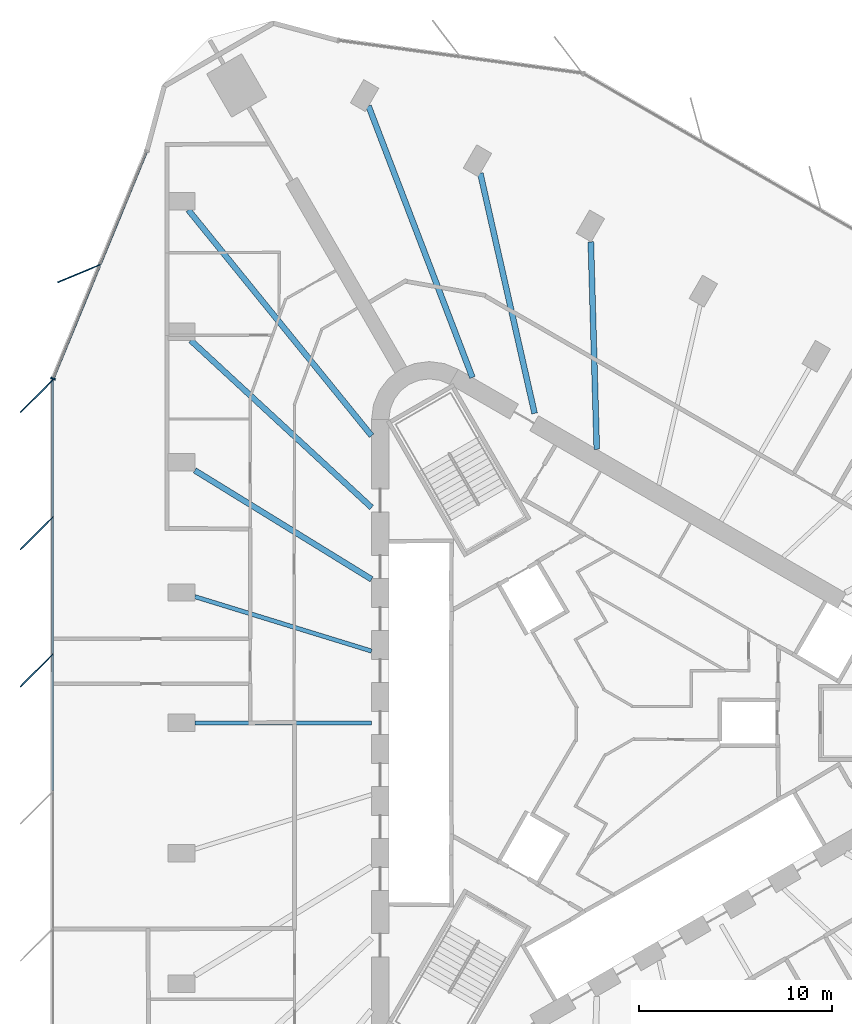
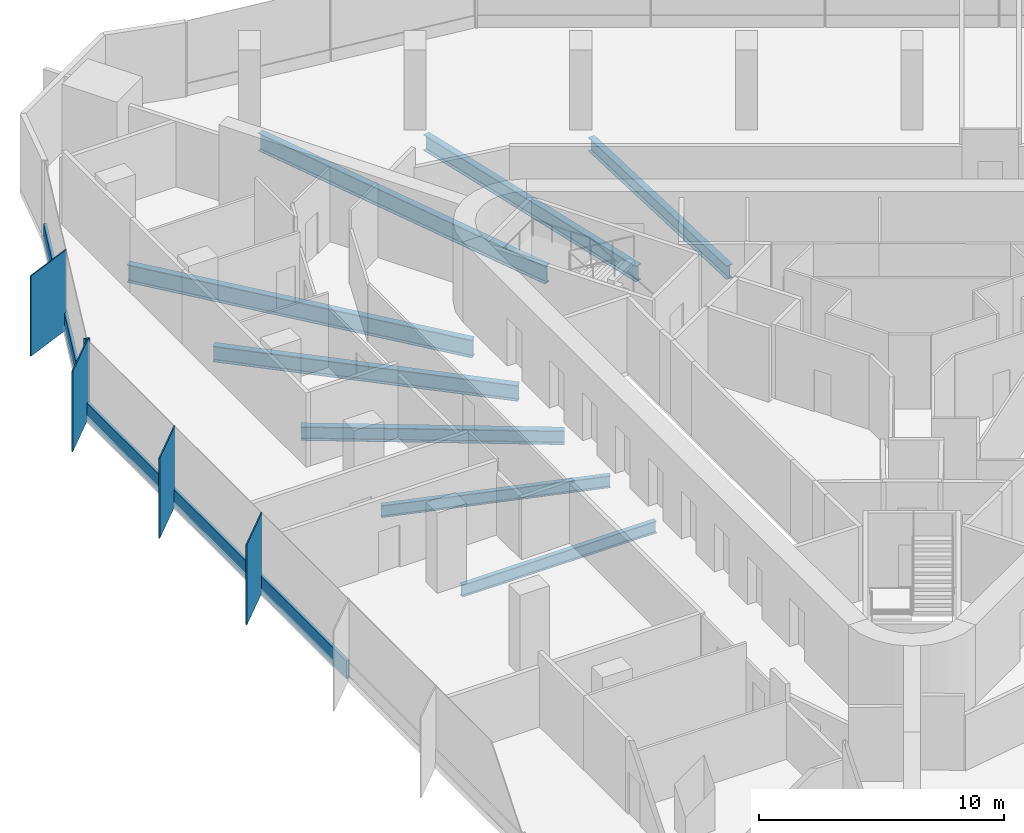
# One storey, part 4 of 14: 10 members, 8 beams, 2 elements without a shape of their own.
"""IFC4 building model written with IfcOpenShell, lengths in metres."""

from ifc_helpers import new_model, si_unit, direction, frame, origin, origin_2d, place, context, subcontext, project, spatial, rectangle, i_section, extrude, material, material_profile, profile_set, type_object, element, aggregate, save


model = new_model("IFC4")

# Units and contexts
model_context = context("Model", 3, precision=1e-05, world=origin(), true_north=direction((0.0, 1.0)))
body_context = subcontext(model_context, "Body", "Model", "MODEL_VIEW")
ifc_project = project(units=[si_unit("LENGTHUNIT", "METRE"), si_unit("AREAUNIT", "SQUARE_METRE"), si_unit("VOLUMEUNIT", "CUBIC_METRE"), si_unit("PLANEANGLEUNIT", "RADIAN"), si_unit("MASSUNIT", "GRAM", prefix="KILO")], contexts=[model_context])

# Site, building, storey
site_placement = place(None, origin())
site = spatial("IfcSite", under=ifc_project, at=site_placement, CompositionType="ELEMENT")
building_placement = place(site_placement, origin())
building = spatial("IfcBuilding", under=site, at=building_placement, Name="Tanit Gate Tower", CompositionType="ELEMENT")
storey_placement = place(building_placement, frame((0.0, 0.0, 233.199951171875)))
storey = spatial("IfcBuildingStorey", under=building, at=storey_placement, Name="L52", CompositionType="ELEMENT", Elevation=233.199951171875)

# Curtain wall, member
ifc_material_1 = material(Name="Aluminium bronze anodised and glass", Category="aluminium")
curtain_wall_type = type_object("IfcCurtainWallType", Name="Curtain wall typical mid", PredefinedType="NOTDEFINED", material=ifc_material_1)
curtain_wall_1_placement = place(storey_placement, origin())
curtain_wall_1 = element("IfcCurtainWall", 1, at=curtain_wall_1_placement, inside=storey, type_object=curtain_wall_type, Name="Curtain wall L52 W1", PredefinedType="NOTDEFINED")
ifc_material_2 = material(Name="Aluminium bronze anodised", Category="aluminium")
ifc_material_profile_1 = material_profile(ifc_material_2, rectangle(XDim=2.39990234375, YDim=0.055908203125, at=origin_2d()), Name="56x2400 bronze fin mullion")
ifc_profile_set_1 = profile_set([ifc_material_profile_1], Name="Aluminium bronze anodised")
member_type_1 = type_object("IfcMemberType", Name="FIN MULLION 56x2400 bronze", PredefinedType="MULLION", material=ifc_profile_set_1)
member_1_placement = place(storey_placement, frame((-27.298828125, 23.334716796875, -0.300048828125), z_axis=(0.0, 0.0, 1.0), x_axis=(0.922885714488, 0.385073964315, 0.0)))
member_1 = element("IfcMember", 2, at=member_1_placement, type_object=member_type_1, Name="Fin mullion L52 W1.2", PredefinedType="MULLION", context=body_context, shape_type="SweptSolid", body=[
    extrude(rectangle(XDim=2.39990234375, YDim=0.055908203125, at=origin_2d()), origin(), (0.0, 0.0, 1.0), 4.0),
])

# Curtain wall, members
curtain_wall_2_placement = place(storey_placement, origin())
curtain_wall_2 = element("IfcCurtainWall", 3, at=curtain_wall_2_placement, inside=storey, type_object=curtain_wall_type, Name="Curtain wall L52 W2", PredefinedType="NOTDEFINED")
member_2_placement = place(storey_placement, frame((-29.48974609375, 16.967529296875, -0.300048828125), z_axis=(0.0, 0.0, 1.0), x_axis=(0.707057749571, 0.707155809403, 0.0)))
member_2 = element("IfcMember", 4, at=member_2_placement, type_object=member_type_1, Name="Fin mullion L52 W2.1", PredefinedType="MULLION", context=body_context, shape_type="SweptSolid", body=[
    extrude(rectangle(XDim=2.39990234375, YDim=0.055908203125, at=origin_2d()), origin(), (0.0, 0.0, 1.0), 4.0),
])
member_3_placement = place(storey_placement, frame((-29.4892578125, 9.84716796875, -0.300048828125), z_axis=(0.0, 0.0, 1.0), x_axis=(0.707057749571, 0.707155809403, 0.0)))
member_3 = element("IfcMember", 5, at=member_3_placement, type_object=member_type_1, Name="Fin mullion L52 W2.2", PredefinedType="MULLION", context=body_context, shape_type="SweptSolid", body=[
    extrude(rectangle(XDim=2.39990234375, YDim=0.055908203125, at=origin_2d()), origin(), (0.0, 0.0, 1.0), 4.0),
])
member_4_placement = place(storey_placement, frame((-29.48876953125, 2.7265625, -0.300048828125), z_axis=(0.0, 0.0, 1.0), x_axis=(0.707057749571, 0.707155809403, 0.0)))
member_4 = element("IfcMember", 6, at=member_4_placement, type_object=member_type_1, Name="Fin mullion L52 W2.3", PredefinedType="MULLION", context=body_context, shape_type="SweptSolid", body=[
    extrude(rectangle(XDim=2.39990234375, YDim=0.055908203125, at=origin_2d()), origin(), (0.0, 0.0, 1.0), 4.0),
])

# Member
ifc_material_3 = material(Name="Aluminium bronze anodised", Category="aluminium")
ifc_material_profile_2 = material_profile(ifc_material_3, rectangle(XDim=0.260009765625, YDim=0.080078125, at=origin_2d()), Name="80x260 bronze mullion")
ifc_profile_set_2 = profile_set([ifc_material_profile_2], Name="Aluminium bronze anodised")
member_type_2 = type_object("IfcMemberType", Name="Mullion 80x260 typical mid", PredefinedType="MULLION", material=ifc_profile_set_2)
member_5_placement = place(storey_placement, frame((-28.64111328125, 17.878173828125, -0.300048828125), z_axis=(0.0, 0.0, 1.0), x_axis=(0.924867158401, -0.380290335549, 0.0)))
member_5 = element("IfcMember", 7, at=member_5_placement, type_object=member_type_2, Name="Mullion L52 W1.3", PredefinedType="MULLION", context=body_context, shape_type="SweptSolid", body=[
    extrude(rectangle(XDim=0.260009765625, YDim=0.080078125, at=origin_2d()), origin(), (0.0, 0.0, 1.0), 4.0),
])

# Beams
ifc_material_4 = material(Name="Steel S355", Category="steel")
ifc_material_profile_3 = material_profile(ifc_material_4, i_section(OverallWidth=0.300048828125, OverallDepth=0.68994140625, WebThickness=0.014404296875, FlangeThickness=0.027099609375, FilletRadius=0.027099609375, at=origin_2d()), Name="HEA 700")
ifc_profile_set_3 = profile_set([ifc_material_profile_3], Name="Steel S355")
beam_type_1 = type_object("IfcBeamType", Name="RADIAL GIRDER HEA 700 S355", PredefinedType="BEAM", material=ifc_profile_set_3)
for number, where, z_axis, x_axis, name in (
    (8, (-0.714599609375, 24.983642578125, -0.64501953125), (0.028583051014, -0.999591421129, 0.0), (0.999591421129, 0.028583051014, 0.0), "RADIAL GIRDER"),
    (9, (-21.279296875, 13.110595703125, -0.64501953125), (0.851378241131, -0.524552276259, 0.0), (0.524552276259, 0.851378241131, 0.0), "RADIAL GIRDER"),
):
    element("IfcBeam", number, at=place(storey_placement, frame(where, z_axis=z_axis, x_axis=x_axis)), inside=storey, type_object=beam_type_1, Name=name, PredefinedType="BEAM", context=body_context, shape_type="SweptSolid", body=[
        extrude(i_section(OverallWidth=0.300048828125, OverallDepth=0.68994140625, WebThickness=0.014404296875, FlangeThickness=0.027099609375, FilletRadius=0.027099609375, at=origin_2d()), origin(), (0.0, 0.0, 1.0), 10.779296875),
    ])
ifc_material_5 = material(Name="Steel S355", Category="steel")
ifc_material_profile_4 = material_profile(ifc_material_5, i_section(OverallWidth=0.300048828125, OverallDepth=0.7900390625, WebThickness=0.014892578125, FlangeThickness=0.028076171875, FilletRadius=0.030029296875, at=origin_2d()), Name="HEA 800")
ifc_profile_set_4 = profile_set([ifc_material_profile_4], Name="Steel S355")
beam_type_2 = type_object("IfcBeamType", Name="RADIAL GIRDER HEA 800 S355", PredefinedType="BEAM", material=ifc_profile_set_4)
for number, where, z_axis, x_axis, name in (
    (10, (-6.45556640625, 28.544189453125, -0.695068359375), (0.220594325016, -0.975365646192, 0.0), (0.975365646192, 0.220594325016, 0.0), "RADIAL GIRDER"),
    (11, (-21.4921875, 19.86279296875, -0.695068359375), (0.734397761649, -0.678719329093, 0.0), (0.678719329093, 0.734397761649, 0.0), "RADIAL GIRDER"),
):
    element("IfcBeam", number, at=place(storey_placement, frame(where, z_axis=z_axis, x_axis=x_axis)), inside=storey, type_object=beam_type_2, Name=name, PredefinedType="BEAM", context=body_context, shape_type="SweptSolid", body=[
        extrude(i_section(OverallWidth=0.300048828125, OverallDepth=0.7900390625, WebThickness=0.014892578125, FlangeThickness=0.028076171875, FilletRadius=0.030029296875, at=origin_2d()), origin(), (0.0, 0.0, 1.0), 12.7861328125),
    ])
ifc_material_6 = material(Name="Steel S355", Category="steel")
ifc_material_profile_5 = material_profile(ifc_material_6, i_section(OverallWidth=0.300048828125, OverallDepth=0.889892578125, WebThickness=0.01611328125, FlangeThickness=0.030029296875, FilletRadius=0.030029296875, at=origin_2d()), Name="HEA 900")
ifc_profile_set_5 = profile_set([ifc_material_profile_5], Name="Steel S355")
beam_type_3 = type_object("IfcBeamType", Name="RADIAL GIRDER HEA 900 S355", PredefinedType="BEAM", material=ifc_profile_set_5)
for number, where, z_axis, x_axis, name in (
    (12, (-12.2587890625, 32.03515625, -0.744873046875), (0.357400572527, -0.93395119292, 0.0), (0.93395119292, 0.357400572527, 0.0), "RADIAL GIRDER"),
    (13, (-21.614013671875, 26.6337890625, -0.744873046875), (0.630133417388, -0.776486880952, 0.0), (0.776486880952, 0.630133417388, 0.0), "RADIAL GIRDER"),
):
    element("IfcBeam", number, at=place(storey_placement, frame(where, z_axis=z_axis, x_axis=x_axis)), inside=storey, type_object=beam_type_3, Name=name, PredefinedType="BEAM", context=body_context, shape_type="SweptSolid", body=[
        extrude(i_section(OverallWidth=0.300048828125, OverallDepth=0.889892578125, WebThickness=0.01611328125, FlangeThickness=0.030029296875, FilletRadius=0.030029296875, at=origin_2d()), origin(), (0.0, 0.0, 1.0), 15.09521484375),
    ])
ifc_material_7 = material(Name="Steel S355", Category="steel")
ifc_material_profile_6 = material_profile(ifc_material_7, i_section(OverallWidth=0.219970703125, OverallDepth=0.60009765625, WebThickness=0.011962890625, FlangeThickness=0.01904296875, FilletRadius=0.02392578125, at=origin_2d()), Name="IPE 600")
ifc_profile_set_6 = profile_set([ifc_material_profile_6], Name="Steel S355")
beam_type_4 = type_object("IfcBeamType", Name="RADIAL GIRDER IPE 600 S355", PredefinedType="BEAM", material=ifc_profile_set_6)
beam_1_placement = place(storey_placement, frame((-21.279296875, 6.555419921875, -0.599853515625), z_axis=(0.955680008009, -0.294407408692, 0.0), x_axis=(0.294407408692, 0.955680008009, 0.0)))
element("IfcBeam", 14, at=beam_1_placement, inside=storey, type_object=beam_type_4, Name="RADIAL GIRDER", PredefinedType="BEAM", context=body_context, shape_type="SweptSolid", body=[
    extrude(i_section(OverallWidth=0.219970703125, OverallDepth=0.60009765625, WebThickness=0.011962890625, FlangeThickness=0.01904296875, FilletRadius=0.02392578125, at=origin_2d()), origin(), (0.0, 0.0, 1.0), 9.602783203125),
])
beam_2_placement = place(storey_placement, frame((-21.279296875, 0.0, -0.599853515625), z_axis=(1.0, 0.0, 0.0), x_axis=(0.0, 1.0, 0.0)))
element("IfcBeam", 15, at=beam_2_placement, inside=storey, type_object=beam_type_4, Name="RADIAL GIRDER", PredefinedType="BEAM", context=body_context, shape_type="SweptSolid", body=[
    extrude(i_section(OverallWidth=0.219970703125, OverallDepth=0.60009765625, WebThickness=0.011962890625, FlangeThickness=0.01904296875, FilletRadius=0.02392578125, at=origin_2d()), origin(), (0.0, 0.0, 1.0), 9.17724609375),
])

# Member
ifc_material_8 = material(Name="Aluminium bronze anodised", Category="aluminium")
ifc_material_profile_7 = material_profile(ifc_material_8, rectangle(XDim=0.139892578125, YDim=0.89990234375, at=origin_2d()), Name="140x900 bronze transom")
ifc_profile_set_7 = profile_set([ifc_material_profile_7], Name="Aluminium bronze anodised")
member_type_3 = type_object("IfcMemberType", Name="Transom 140x900 typical mid", PredefinedType="USERDEFINED", material=ifc_profile_set_7)
member_6_placement = place(storey_placement, frame((-23.795654296875, 29.662109375, 0.150146484375), z_axis=(-0.380298329164, -0.924863871516, 0.0), x_axis=(0.924863871516, -0.380298329164, 0.0)))
member_6 = element("IfcMember", 16, at=member_6_placement, type_object=member_type_3, Name="Transom L52 W1.1", ObjectType="TRANSOM", PredefinedType="USERDEFINED", context=body_context, shape_type="SweptSolid", body=[
    extrude(rectangle(XDim=0.139892578125, YDim=0.89990234375, at=origin_2d()), origin(), (0.0, 0.0, 1.0), 6.310546875),
])

member_7_placement = place(storey_placement, frame((-26.22607421875, 23.751708984375, 0.150146484375), z_axis=(-0.380284722273, -0.924869466468, 0.0), x_axis=(0.924869466468, -0.380284722273, 0.0)))
member_7 = element("IfcMember", 17, at=member_7_placement, type_object=member_type_3, Name="Transom L52 W1.2", ObjectType="TRANSOM", PredefinedType="USERDEFINED", context=body_context, shape_type="SweptSolid", body=[
    extrude(rectangle(XDim=0.139892578125, YDim=0.89990234375, at=origin_2d()), origin(), (0.0, 0.0, 1.0), 6.310791015625),
])

aggregate(curtain_wall_1, [member_1, member_5, member_6, member_7])

member_8_placement = place(storey_placement, frame((-28.65625, 17.760986328125, 0.150146484375), z_axis=(6.9355342e-05, -0.999999997595, 0.0), x_axis=(0.999999997595, 6.9355342e-05, 0.0)))
member_8 = element("IfcMember", 18, at=member_8_placement, type_object=member_type_3, Name="Transom L52 W2.1", ObjectType="TRANSOM", PredefinedType="USERDEFINED", context=body_context, shape_type="SweptSolid", body=[
    extrude(rectangle(XDim=0.139892578125, YDim=0.89990234375, at=origin_2d()), origin(), (0.0, 0.0, 1.0), 7.040283203125),
])

member_9_placement = place(storey_placement, frame((-28.65576171875, 10.640625, 0.150146484375), z_axis=(6.9352937e-05, -0.999999997595, 0.0), x_axis=(0.999999997595, 6.9352937e-05, 0.0)))
member_9 = element("IfcMember", 19, at=member_9_placement, type_object=member_type_3, Name="Transom L52 W2.2", ObjectType="TRANSOM", PredefinedType="USERDEFINED", context=body_context, shape_type="SweptSolid", body=[
    extrude(rectangle(XDim=0.139892578125, YDim=0.89990234375, at=origin_2d()), origin(), (0.0, 0.0, 1.0), 7.04052734375),
])

member_10_placement = place(storey_placement, frame((-28.6552734375, 3.520263671875, 0.150146484375), z_axis=(6.9352937e-05, -0.999999997595, 0.0), x_axis=(0.999999997595, 6.9352937e-05, 0.0)))
member_10 = element("IfcMember", 20, at=member_10_placement, type_object=member_type_3, Name="Transom L52 W2.3", ObjectType="TRANSOM", PredefinedType="USERDEFINED", context=body_context, shape_type="SweptSolid", body=[
    extrude(rectangle(XDim=0.139892578125, YDim=0.89990234375, at=origin_2d()), origin(), (0.0, 0.0, 1.0), 7.04052734375),
])

aggregate(curtain_wall_2, [member_2, member_3, member_4, member_8, member_9, member_10])

save(model, "model.ifc")
